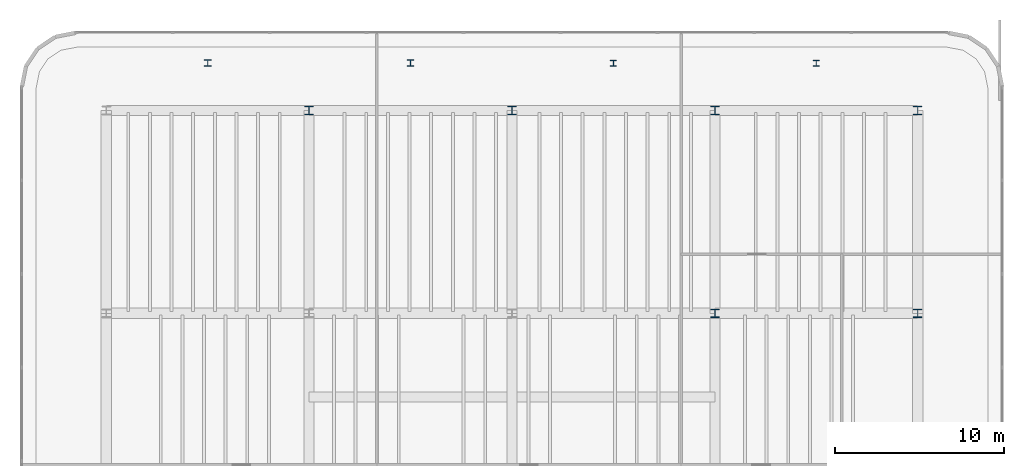
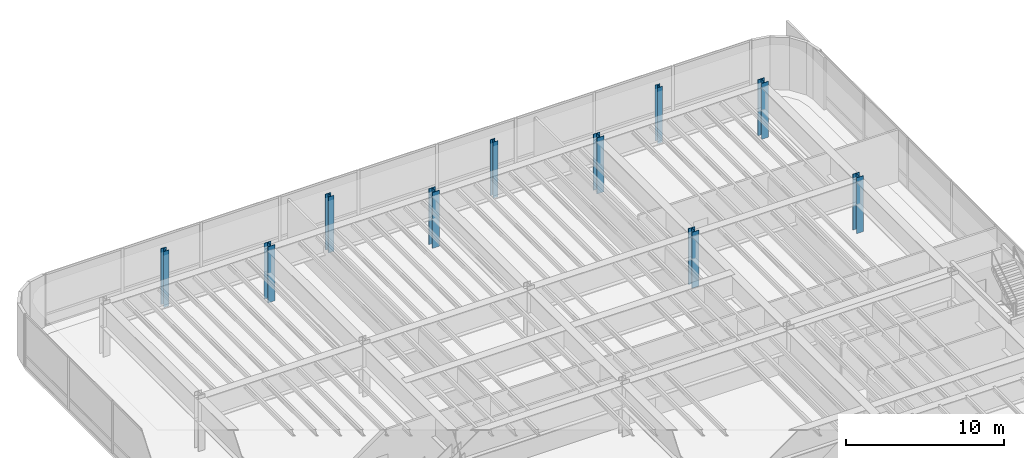
# One storey, part 3 of 19: 10 columns.
"""IFC4 building model written with IfcOpenShell, lengths in metres."""

from ifc_helpers import new_model, si_unit, direction, frame, origin, origin_2d, place, context, subcontext, project, spatial, i_section, extrude, source, transform, mapped, material, material_profile, profile_set, type_object, element, save


model = new_model("IFC4")

# Units and contexts
model_context = context("Model", 3, precision=1e-05, world=origin(), true_north=direction((0.0, 1.0)))
body_context = subcontext(model_context, "Body", "Model", "MODEL_VIEW")
ifc_project = project(units=[si_unit("LENGTHUNIT", "METRE"), si_unit("AREAUNIT", "SQUARE_METRE"), si_unit("VOLUMEUNIT", "CUBIC_METRE"), si_unit("PLANEANGLEUNIT", "RADIAN"), si_unit("MASSUNIT", "GRAM", prefix="KILO")], contexts=[model_context])

# Site, building, storey
site_placement = place(None, origin())
site = spatial("IfcSite", under=ifc_project, at=site_placement, CompositionType="ELEMENT")
building_placement = place(site_placement, origin())
building = spatial("IfcBuilding", under=site, at=building_placement, Name="Brelvock Crest Care Tower", CompositionType="ELEMENT")
storey_placement = place(building_placement, frame((0.0, 0.0, 18.360107421875)))
storey = spatial("IfcBuildingStorey", under=building, at=storey_placement, Name="L04", CompositionType="ELEMENT", Elevation=18.360107421875)

# Columns
ifc_material = material(Name="Steel Grade 350", Category="steel")
ifc_material_profile_1 = material_profile(ifc_material, i_section(OverallWidth=0.5, OverallDepth=0.5, WebThickness=0.02197265625, FlangeThickness=0.034912109375, at=origin_2d()), Name="500WC340")
ifc_profile_set_1 = profile_set([ifc_material_profile_1], Name="Steel Grade 350")
column_type_1 = type_object("IfcColumnType", Name="COL-PC2", PredefinedType="COLUMN", material=ifc_profile_set_1)
shared_shape_1 = source(origin(), body_context, "Body", "SweptSolid", [
    extrude(i_section(OverallWidth=0.5, OverallDepth=0.5, WebThickness=0.02197265625, FlangeThickness=0.034912109375, at=origin_2d()), origin(), (0.0, 0.0, 1.0), 4.31982421875),
])
for number, where, z_axis, x_axis, name in (
    (1, (48.0, 42.0, 0.0), (0.0, 0.0, 1.0), (1.0, 0.0, 0.0), "L04 Podium Column PC-13"),
    (2, (60.0, 42.0, 0.0), (0.0, 0.0, 1.0), (1.0, 0.0, 0.0), "L04 Podium Column PC-14"),
    (3, (24.0, 54.0, 0.0), (0.0, 0.0, 1.0), (1.0, 0.0, 0.0), "L04 Podium Column PC-16"),
    (4, (36.0, 54.0, 0.0), (0.0, 0.0, 1.0), (1.0, 0.0, 0.0), "L04 Podium Column PC-17"),
    (5, (48.0, 54.0, 0.0), (0.0, 0.0, 1.0), (1.0, 0.0, 0.0), "L04 Podium Column PC-18"),
    (6, (60.0, 54.0, 0.0), (0.0, 0.0, 1.0), (1.0, 0.0, 0.0), "L04 Podium Column PC-19"),
):
    element("IfcColumn", number, at=place(storey_placement, frame(where, z_axis=z_axis, x_axis=x_axis)), inside=storey, type_object=column_type_1, Name=name, PredefinedType="COLUMN", context=body_context, shape_type="MappedRepresentation", body=[
        mapped(shared_shape_1, transform((0.0, 0.0, 0.0), x_axis=(1.0, 0.0, 0.0), y_axis=(0.0, 1.0, 0.0), z_axis=(0.0, 0.0, 1.0), scale=1.0)),
    ])
ifc_material_profile_2 = material_profile(ifc_material, i_section(OverallWidth=0.39990234375, OverallDepth=0.39990234375, WebThickness=0.02197265625, FlangeThickness=0.034912109375, at=origin_2d()), Name="400WC270")
ifc_profile_set_2 = profile_set([ifc_material_profile_2], Name="Steel Grade 350")
column_type_2 = type_object("IfcColumnType", Name="COL-PC3", PredefinedType="COLUMN", material=ifc_profile_set_2)
shared_shape_2 = source(origin(), body_context, "Body", "SweptSolid", [
    extrude(i_section(OverallWidth=0.39990234375, OverallDepth=0.39990234375, WebThickness=0.02197265625, FlangeThickness=0.034912109375, at=origin_2d()), origin(), (0.0, 0.0, 1.0), 4.31982421875),
])
for number, where, z_axis, x_axis, name in (
    (7, (18.0, 56.800048828125, 0.0), (0.0, 0.0, 1.0), (1.0, 0.0, 0.0), "L04 Podium North Column PCN-1"),
    (8, (30.0, 56.800048828125, 0.0), (0.0, 0.0, 1.0), (1.0, 0.0, 0.0), "L04 Podium North Column PCN-2"),
):
    element("IfcColumn", number, at=place(storey_placement, frame(where, z_axis=z_axis, x_axis=x_axis)), inside=storey, type_object=column_type_2, Name=name, PredefinedType="COLUMN", context=body_context, shape_type="MappedRepresentation", body=[
        mapped(shared_shape_2, transform((0.0, 0.0, 0.0), x_axis=(1.0, 0.0, 0.0), y_axis=(0.0, 1.0, 0.0), z_axis=(0.0, 0.0, 1.0), scale=1.0)),
    ])
ifc_material_profile_3 = material_profile(ifc_material, i_section(OverallWidth=0.35009765625, OverallDepth=0.35009765625, WebThickness=0.02001953125, FlangeThickness=0.028076171875, at=origin_2d()), Name="350WC197")
ifc_profile_set_3 = profile_set([ifc_material_profile_3], Name="Steel Grade 350")
column_type_3 = type_object("IfcColumnType", Name="COL-PC4", PredefinedType="COLUMN", material=ifc_profile_set_3)
shared_shape_3 = source(origin(), body_context, "Body", "SweptSolid", [
    extrude(i_section(OverallWidth=0.35009765625, OverallDepth=0.35009765625, WebThickness=0.02001953125, FlangeThickness=0.028076171875, at=origin_2d()), origin(), (0.0, 0.0, 1.0), 4.31982421875),
])
for number, where, z_axis, x_axis, name in (
    (9, (42.0, 56.800048828125, 0.0), (0.0, 0.0, 1.0), (1.0, 0.0, 0.0), "L04 Podium North Column PCN-3"),
    (10, (54.0, 56.800048828125, 0.0), (0.0, 0.0, 1.0), (1.0, 0.0, 0.0), "L04 Podium North Column PCN-4"),
):
    element("IfcColumn", number, at=place(storey_placement, frame(where, z_axis=z_axis, x_axis=x_axis)), inside=storey, type_object=column_type_3, Name=name, PredefinedType="COLUMN", context=body_context, shape_type="MappedRepresentation", body=[
        mapped(shared_shape_3, transform((0.0, 0.0, 0.0), x_axis=(1.0, 0.0, 0.0), y_axis=(0.0, 1.0, 0.0), z_axis=(0.0, 0.0, 1.0), scale=1.0)),
    ])

save(model, "model.ifc")
